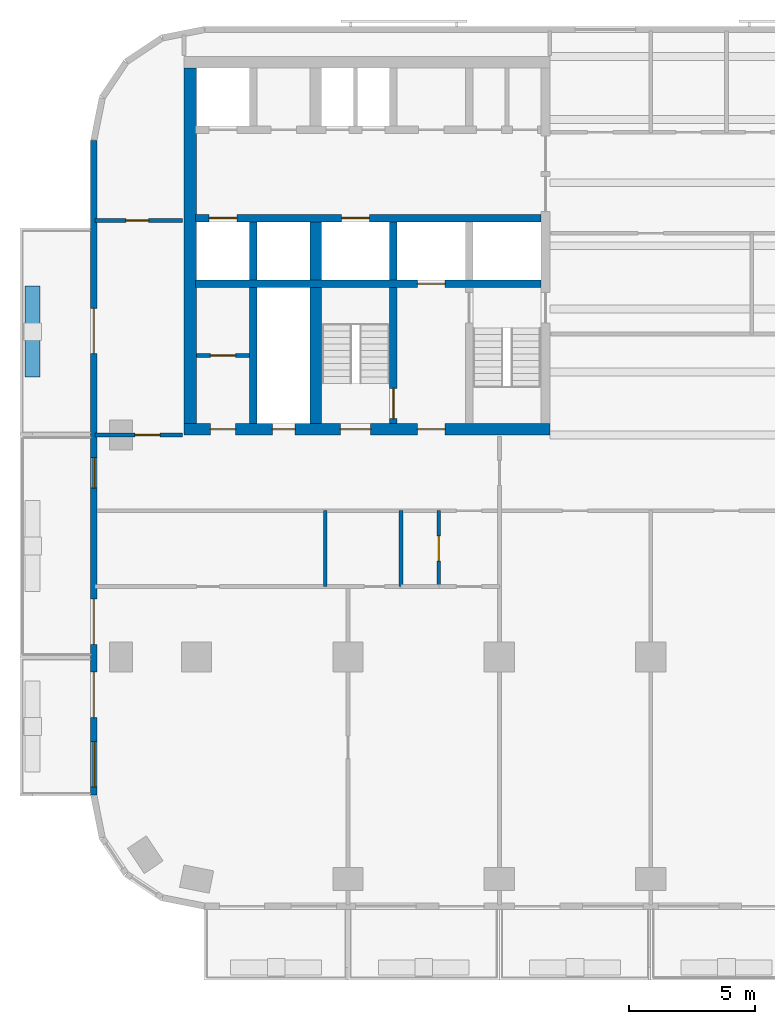
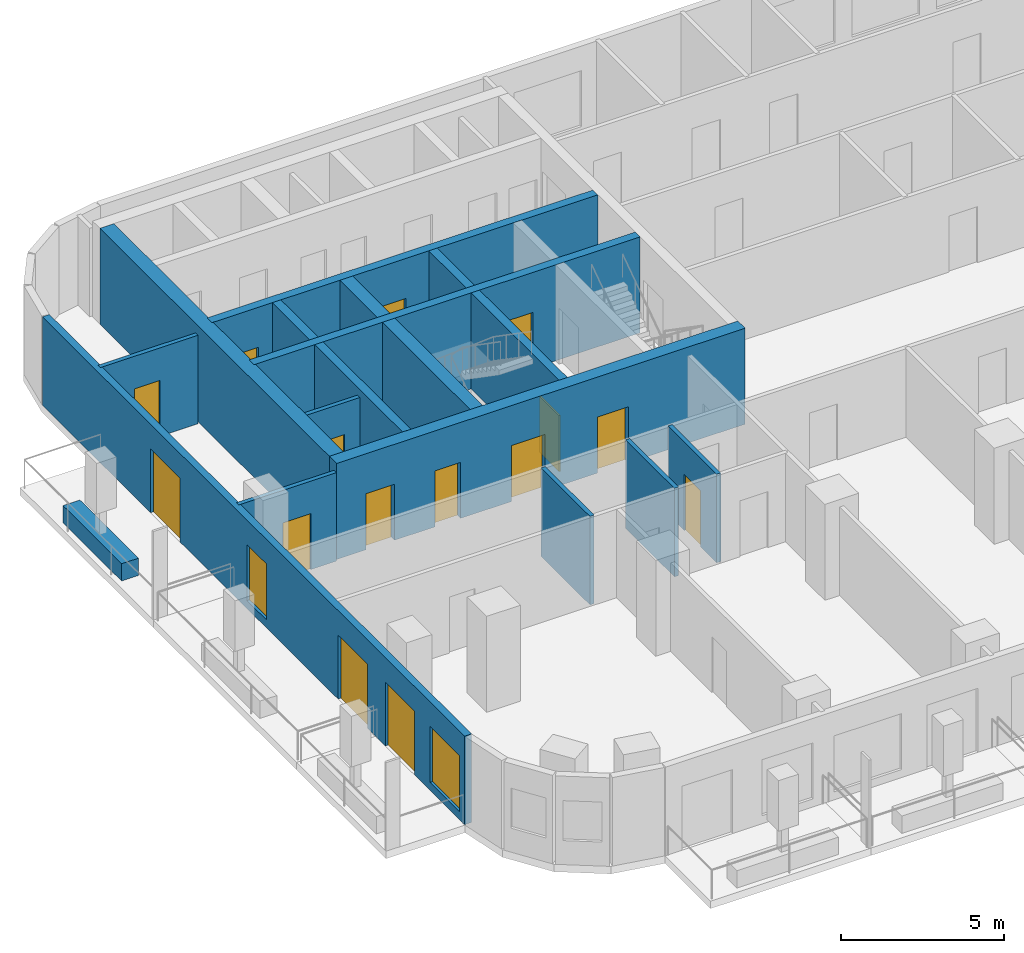
# One storey, part 3 of 12: 18 walls, 15 doors, 2 windows, 17 openings.
"""IFC4 building model written with IfcOpenShell, lengths in metres."""

from ifc_helpers import new_model, si_unit, direction, frame, frame_2d, origin, place, context, subcontext, project, spatial, rectangle, extrude, material, layer, layer_set, type_object, element, fill, save


model = new_model("IFC4")

# Units and contexts
model_context = context("Model", 3, precision=1e-05, world=origin(), true_north=direction((0.0, 1.0)))
body_context = subcontext(model_context, "Body", "Model", "MODEL_VIEW")
ifc_project = project(units=[si_unit("LENGTHUNIT", "METRE"), si_unit("AREAUNIT", "SQUARE_METRE"), si_unit("VOLUMEUNIT", "CUBIC_METRE"), si_unit("PLANEANGLEUNIT", "RADIAN"), si_unit("MASSUNIT", "GRAM", prefix="KILO")], contexts=[model_context])

# Site, building, storey
site_placement = place(None, origin())
site = spatial("IfcSite", under=ifc_project, at=site_placement, CompositionType="ELEMENT")
building_placement = place(site_placement, origin())
building = spatial("IfcBuilding", under=site, at=building_placement, Name="Torana Hotel and Residences", CompositionType="ELEMENT")
storey_placement = place(building_placement, frame((0.0, 0.0, 159.60009765625)))
storey = spatial("IfcBuildingStorey", under=building, at=storey_placement, Name="L41", CompositionType="ELEMENT", Elevation=159.60009765625)

# Wall, openings, doors
ifc_material_1 = material(Name="Concrete C70/85", Category="concrete")
ifc_layer_1 = layer(ifc_material_1, 0.300048828125)
ifc_layer_set_1 = layer_set([ifc_layer_1], Name="CORE WALL 300 C70/85")
wall_type_1 = type_object("IfcWallType", Name="CORE WALL 300 C70/85", PredefinedType="SHEAR", material=ifc_layer_set_1)
wall_1_placement = place(storey_placement, frame((-24.050048828125, -6.39990234375, 0.0), z_axis=(0.0, 0.0, 1.0), x_axis=(1.0, 0.0, 0.0)))
wall_1 = element("IfcWall", 1, at=wall_1_placement, inside=storey, type_object=wall_type_1, Name="Core wall W row-S", PredefinedType="SHEAR", context=body_context, shape_type="SweptSolid", body=[
    extrude(rectangle(XDim=13.699951171875, YDim=0.300048828125, at=frame_2d((6.85009765625, 0.0))), origin(), (0.0, 0.0, 1.0), 3.599853515625),
])
opening_1_placement = place(wall_1_placement, frame((0.550048828125, 0.0, 0.0)))
opening_1 = element("IfcOpeningElement", 2, at=opening_1_placement, cuts=wall_1, Name="Opening LD", PredefinedType="OPENING", context=body_context, shape_type="SweptSolid", body=[
    extrude(rectangle(XDim=1.10009765625, YDim=2.10009765625, at=frame_2d((0.550048828125, 1.050048828125))), frame((0.0, 0.159912109375, 0.0), z_axis=(0.0, -1.0, 0.0), x_axis=(1.0, 0.0, 0.0)), (0.0, 0.0, 1.0), 0.320068359375),
])
opening_2_placement = place(wall_1_placement, frame((5.800048828125, 0.0, 0.0)))
opening_2 = element("IfcOpeningElement", 3, at=opening_2_placement, cuts=wall_1, Name="Opening LD", PredefinedType="OPENING", context=body_context, shape_type="SweptSolid", body=[
    extrude(rectangle(XDim=1.10009765625, YDim=2.10009765625, at=frame_2d((0.550048828125, 1.050048828125))), frame((0.0, 0.159912109375, 0.0), z_axis=(0.0, -1.0, 0.0), x_axis=(1.0, 0.0, 0.0)), (0.0, 0.0, 1.0), 0.320068359375),
])
ifc_material_2 = material(Name="Stainless steel 316", Category="steel")
door_type_1 = type_object("IfcDoorType", Name="LIFT LANDING DOOR LD 1100x2100", OperationType="DOUBLE_DOOR_SLIDING", PredefinedType="USERDEFINED", material=ifc_material_2)
door_1_placement = place(opening_1_placement, origin())
door_1 = element("IfcDoor", 4, at=door_1_placement, inside=storey, type_object=door_type_1, Name="Lift landing door M2 L41", ObjectType="LIFT LANDING DOOR", OperationType="DOUBLE_DOOR_SLIDING", OverallHeight=2.10009765625, OverallWidth=1.10009765625, PredefinedType="USERDEFINED", context=body_context, shape_type="SweptSolid", body=[
    extrude(rectangle(XDim=1.10009765625, YDim=2.10009765625, at=frame_2d((0.550048828125, 1.050048828125))), frame((0.0, 0.02490234375, 0.0), z_axis=(0.0, -1.0, 0.0), x_axis=(1.0, 0.0, 0.0)), (0.0, 0.0, 1.0), 0.050048828125),
])
fill(opening_1, door_1)
door_2_placement = place(opening_2_placement, origin())
door_2 = element("IfcDoor", 5, at=door_2_placement, inside=storey, type_object=door_type_1, Name="Lift landing door SV1 L41", ObjectType="LIFT LANDING DOOR", OperationType="DOUBLE_DOOR_SLIDING", OverallHeight=2.10009765625, OverallWidth=1.10009765625, PredefinedType="USERDEFINED", context=body_context, shape_type="SweptSolid", body=[
    extrude(rectangle(XDim=1.10009765625, YDim=2.10009765625, at=frame_2d((0.550048828125, 1.050048828125))), frame((0.0, 0.02490234375, 0.0), z_axis=(0.0, -1.0, 0.0), x_axis=(1.0, 0.0, 0.0)), (0.0, 0.0, 1.0), 0.050048828125),
])
fill(opening_2, door_2)

# Wall, opening, door
wall_2_placement = place(storey_placement, frame((-24.050048828125, -9.0, 0.0), z_axis=(0.0, 0.0, 1.0), x_axis=(1.0, 0.0, 0.0)))
wall_2 = element("IfcWall", 6, at=wall_2_placement, inside=storey, type_object=wall_type_1, Name="Core wall W band", PredefinedType="SHEAR", context=body_context, shape_type="SweptSolid", body=[
    extrude(rectangle(XDim=13.699951171875, YDim=0.300048828125, at=frame_2d((6.85009765625, 0.0))), origin(), (0.0, 0.0, 1.0), 3.599853515625),
])
opening_3_placement = place(wall_2_placement, frame((8.800048828125, 0.0, 0.0)))
opening_3 = element("IfcOpeningElement", 7, at=opening_3_placement, cuts=wall_2, Name="Opening LD", PredefinedType="OPENING", context=body_context, shape_type="SweptSolid", body=[
    extrude(rectangle(XDim=1.10009765625, YDim=2.10009765625, at=frame_2d((0.550048828125, 1.050048828125))), frame((0.0, 0.159912109375, 0.0), z_axis=(0.0, -1.0, 0.0), x_axis=(1.0, 0.0, 0.0)), (0.0, 0.0, 1.0), 0.320068359375),
])
door_3_placement = place(opening_3_placement, origin())
door_3 = element("IfcDoor", 8, at=door_3_placement, inside=storey, type_object=door_type_1, Name="Lift landing door FF1 L41", ObjectType="LIFT LANDING DOOR", OperationType="DOUBLE_DOOR_SLIDING", OverallHeight=2.10009765625, OverallWidth=1.10009765625, PredefinedType="USERDEFINED", context=body_context, shape_type="SweptSolid", body=[
    extrude(rectangle(XDim=1.10009765625, YDim=2.10009765625, at=frame_2d((0.550048828125, 1.050048828125))), frame((0.0, 0.02490234375, 0.0), z_axis=(0.0, -1.0, 0.0), x_axis=(1.0, 0.0, 0.0)), (0.0, 0.0, 1.0), 0.050048828125),
])
fill(opening_3, door_3)

# Wall
wall_3_placement = place(storey_placement, frame((-16.199951171875, -8.85009765625, 0.0), z_axis=(0.0, 0.0, 1.0), x_axis=(0.0, 1.0, 0.0)))
element("IfcWall", 9, at=wall_3_placement, inside=storey, type_object=wall_type_1, Name="Core wall W x6.05-S", PredefinedType="SHEAR", context=body_context, shape_type="SweptSolid", body=[
    extrude(rectangle(XDim=2.300048828125, YDim=0.300048828125, at=frame_2d((1.14990234375, 0.0))), origin(), (0.0, 0.0, 1.0), 3.599853515625),
])

# Wall, opening, door
wall_4_placement = place(storey_placement, frame((-16.199951171875, -14.550048828125, 0.0), z_axis=(0.0, 0.0, 1.0), x_axis=(0.0, 1.0, 0.0)))
wall_4 = element("IfcWall", 10, at=wall_4_placement, inside=storey, type_object=wall_type_1, Name="Core wall W x6.05-band", PredefinedType="SHEAR", context=body_context, shape_type="SweptSolid", body=[
    extrude(rectangle(XDim=5.400146484375, YDim=0.300048828125, at=frame_2d((2.7001953125, 0.0))), origin(), (0.0, 0.0, 1.0), 3.599853515625),
])
opening_4_placement = place(wall_4_placement, frame((0.199951171875, 0.0, 0.0)))
opening_4 = element("IfcOpeningElement", 11, at=opening_4_placement, cuts=wall_4, Name="Opening L41-15", PredefinedType="OPENING", context=body_context, shape_type="SweptSolid", body=[
    extrude(rectangle(XDim=1.199951171875, YDim=2.10009765625, at=frame_2d((0.60009765625, 1.050048828125))), frame((0.0, 0.159912109375, 0.0), z_axis=(0.0, -1.0, 0.0), x_axis=(1.0, 0.0, 0.0)), (0.0, 0.0, 1.0), 0.320068359375),
])
ifc_material_3 = material(Name="Steel S235", Category="steel")
door_type_2 = type_object("IfcDoorType", Name="STAIR FIRE DOOR D3 1200x2100", OperationType="SINGLE_SWING_LEFT", PredefinedType="DOOR", material=ifc_material_3)
door_4_placement = place(opening_4_placement, origin())
door_4 = element("IfcDoor", 12, at=door_4_placement, inside=storey, type_object=door_type_2, Name="Stair-B-lobby door L41", OperationType="SINGLE_SWING_RIGHT", OverallHeight=2.10009765625, OverallWidth=1.199951171875, PredefinedType="DOOR", context=body_context, shape_type="SweptSolid", body=[
    extrude(rectangle(XDim=1.199951171875, YDim=2.10009765625, at=frame_2d((0.60009765625, 1.050048828125))), frame((0.0, 0.02490234375, 0.0), z_axis=(0.0, -1.0, 0.0), x_axis=(1.0, 0.0, 0.0)), (0.0, 0.0, 1.0), 0.050048828125),
])
fill(opening_4, door_4)

# Walls
wall_5_placement = place(storey_placement, frame((-21.75, -8.85009765625, 0.0), z_axis=(0.0, 0.0, 1.0), x_axis=(0.0, 1.0, 0.0)))
element("IfcWall", 13, at=wall_5_placement, inside=storey, type_object=wall_type_1, Name="Core wall W mm-S", PredefinedType="SHEAR", context=body_context, shape_type="SweptSolid", body=[
    extrude(rectangle(XDim=2.300048828125, YDim=0.300048828125, at=frame_2d((1.14990234375, 0.0))), origin(), (0.0, 0.0, 1.0), 3.599853515625),
])
wall_6_placement = place(storey_placement, frame((-21.75, -14.550048828125, 0.0), z_axis=(0.0, 0.0, 1.0), x_axis=(0.0, 1.0, 0.0)))
element("IfcWall", 14, at=wall_6_placement, inside=storey, type_object=wall_type_1, Name="Core wall W mm-band", PredefinedType="SHEAR", context=body_context, shape_type="SweptSolid", body=[
    extrude(rectangle(XDim=5.400146484375, YDim=0.300048828125, at=frame_2d((2.7001953125, 0.0))), origin(), (0.0, 0.0, 1.0), 3.599853515625),
])

# Wall, openings, doors
ifc_material_4 = material(Name="Concrete C70/85", Category="concrete")
ifc_layer_2 = layer(ifc_material_4, 0.449951171875)
ifc_layer_set_2 = layer_set([ifc_layer_2], Name="CORE WALL 450 C70/85")
wall_type_2 = type_object("IfcWallType", Name="CORE WALL 450 C70/85", PredefinedType="SHEAR", material=ifc_layer_set_2)
wall_7_placement = place(storey_placement, frame((-24.5, -14.77490234375, 0.0), z_axis=(0.0, 0.0, 1.0), x_axis=(1.0, 0.0, 0.0)))
wall_7 = element("IfcWall", 15, at=wall_7_placement, inside=storey, type_object=wall_type_2, Name="Core wall W front", PredefinedType="SHEAR", context=body_context, shape_type="SweptSolid", body=[
    extrude(rectangle(XDim=14.5, YDim=0.449951171875, at=frame_2d((7.25, 0.0))), origin(), (0.0, 0.0, 1.0), 3.599853515625),
])
opening_5_placement = place(wall_7_placement, frame((6.199951171875, 0.0, 0.0)))
opening_5 = element("IfcOpeningElement", 16, at=opening_5_placement, cuts=wall_7, Name="Opening L41-04", PredefinedType="OPENING", context=body_context, shape_type="SweptSolid", body=[
    extrude(rectangle(XDim=1.199951171875, YDim=2.10009765625, at=frame_2d((0.60009765625, 1.050048828125))), frame((0.0, 0.23486328125, 0.0), z_axis=(0.0, -1.0, 0.0), x_axis=(1.0, 0.0, 0.0)), (0.0, 0.0, 1.0), 0.469970703125),
])
opening_6_placement = place(wall_7_placement, frame((9.25, 0.0, 0.0)))
opening_6 = element("IfcOpeningElement", 17, at=opening_6_placement, cuts=wall_7, Name="Opening L41-05", PredefinedType="OPENING", context=body_context, shape_type="SweptSolid", body=[
    extrude(rectangle(XDim=1.10009765625, YDim=2.10009765625, at=frame_2d((0.550048828125, 1.050048828125))), frame((0.0, 0.23486328125, 0.0), z_axis=(0.0, -1.0, 0.0), x_axis=(1.0, 0.0, 0.0)), (0.0, 0.0, 1.0), 0.469970703125),
])
opening_7_placement = place(wall_7_placement, frame((3.5, 0.0, 0.0)))
opening_7 = element("IfcOpeningElement", 18, at=opening_7_placement, cuts=wall_7, Name="Opening L41-06", PredefinedType="OPENING", context=body_context, shape_type="SweptSolid", body=[
    extrude(rectangle(XDim=0.89990234375, YDim=2.10009765625, at=frame_2d((0.449951171875, 1.050048828125))), frame((0.0, 0.23486328125, 0.0), z_axis=(0.0, -1.0, 0.0), x_axis=(1.0, 0.0, 0.0)), (0.0, 0.0, 1.0), 0.469970703125),
])
opening_8_placement = place(wall_7_placement, frame((1.050048828125, 0.0, 0.0)))
opening_8 = element("IfcOpeningElement", 19, at=opening_8_placement, cuts=wall_7, Name="Opening L41-07", PredefinedType="OPENING", context=body_context, shape_type="SweptSolid", body=[
    extrude(rectangle(XDim=1.0, YDim=2.10009765625, at=frame_2d((0.5, 1.050048828125))), frame((0.0, 0.23486328125, 0.0), z_axis=(0.0, -1.0, 0.0), x_axis=(1.0, 0.0, 0.0)), (0.0, 0.0, 1.0), 0.469970703125),
])
ifc_material_5 = material(Name="Steel S235", Category="steel")
door_type_3 = type_object("IfcDoorType", Name="CORE ROOM FIRE DOOR D14 1000x2100", OperationType="SINGLE_SWING_LEFT", PredefinedType="DOOR", material=ifc_material_5)
door_5_placement = place(opening_8_placement, origin())
door_5 = element("IfcDoor", 20, at=door_5_placement, inside=storey, type_object=door_type_3, Name="M-Room-B door L41", OperationType="SINGLE_SWING_RIGHT", OverallHeight=2.10009765625, OverallWidth=1.0, PredefinedType="DOOR", context=body_context, shape_type="SweptSolid", body=[
    extrude(rectangle(XDim=1.0, YDim=2.10009765625, at=frame_2d((0.5, 1.050048828125))), frame((0.0, 0.02490234375, 0.0), z_axis=(0.0, -1.0, 0.0), x_axis=(1.0, 0.0, 0.0)), (0.0, 0.0, 1.0), 0.050048828125),
])
fill(opening_8, door_5)
ifc_material_6 = material(Name="Steel S235", Category="steel")
door_type_4 = type_object("IfcDoorType", Name="FIRE-FIGHTING LOBBY DOOR D8 1100x2100", OperationType="SINGLE_SWING_LEFT", PredefinedType="DOOR", material=ifc_material_6)
door_6_placement = place(opening_6_placement, origin())
door_6 = element("IfcDoor", 21, at=door_6_placement, inside=storey, type_object=door_type_4, Name="FF-lobby door L41", OperationType="SINGLE_SWING_RIGHT", OverallHeight=2.10009765625, OverallWidth=1.10009765625, PredefinedType="DOOR", context=body_context, shape_type="SweptSolid", body=[
    extrude(rectangle(XDim=1.10009765625, YDim=2.10009765625, at=frame_2d((0.550048828125, 1.050048828125))), frame((0.0, 0.02490234375, 0.0), z_axis=(0.0, -1.0, 0.0), x_axis=(1.0, 0.0, 0.0)), (0.0, 0.0, 1.0), 0.050048828125),
])
fill(opening_6, door_6)
ifc_material_7 = material(Name="Steel S235", Category="steel")
door_type_5 = type_object("IfcDoorType", Name="RISER ACCESS DOOR D5 900x2100", OperationType="SINGLE_SWING_LEFT", PredefinedType="DOOR", material=ifc_material_7)
door_7_placement = place(opening_7_placement, origin())
door_7 = element("IfcDoor", 22, at=door_7_placement, inside=storey, type_object=door_type_5, Name="M-Riser door L41", OperationType="SINGLE_SWING_RIGHT", OverallHeight=2.10009765625, OverallWidth=0.89990234375, PredefinedType="DOOR", context=body_context, shape_type="SweptSolid", body=[
    extrude(rectangle(XDim=0.89990234375, YDim=2.10009765625, at=frame_2d((0.449951171875, 1.050048828125))), frame((0.0, 0.02490234375, 0.0), z_axis=(0.0, -1.0, 0.0), x_axis=(1.0, 0.0, 0.0)), (0.0, 0.0, 1.0), 0.050048828125),
])
fill(opening_7, door_7)
door_8_placement = place(opening_5_placement, origin())
door_8 = element("IfcDoor", 23, at=door_8_placement, inside=storey, type_object=door_type_2, Name="Stair-B door L41", OperationType="SINGLE_SWING_RIGHT", OverallHeight=2.10009765625, OverallWidth=1.199951171875, PredefinedType="DOOR", context=body_context, shape_type="SweptSolid", body=[
    extrude(rectangle(XDim=1.199951171875, YDim=2.10009765625, at=frame_2d((0.60009765625, 1.050048828125))), frame((0.0, 0.02490234375, 0.0), z_axis=(0.0, -1.0, 0.0), x_axis=(1.0, 0.0, 0.0)), (0.0, 0.0, 1.0), 0.050048828125),
])
fill(opening_5, door_8)

# Walls
wall_8_placement = place(storey_placement, frame((-19.27490234375, -8.85009765625, 0.0), z_axis=(0.0, 0.0, 1.0), x_axis=(0.0, 1.0, 0.0)))
element("IfcWall", 24, at=wall_8_placement, inside=storey, type_object=wall_type_2, Name="Core wall W hm-S", PredefinedType="SHEAR", context=body_context, shape_type="SweptSolid", body=[
    extrude(rectangle(XDim=2.300048828125, YDim=0.449951171875, at=frame_2d((1.14990234375, 0.0))), origin(), (0.0, 0.0, 1.0), 3.599853515625),
])
wall_9_placement = place(storey_placement, frame((-19.27490234375, -14.550048828125, 0.0), z_axis=(0.0, 0.0, 1.0), x_axis=(0.0, 1.0, 0.0)))
element("IfcWall", 25, at=wall_9_placement, inside=storey, type_object=wall_type_2, Name="Core wall W hm-band", PredefinedType="SHEAR", context=body_context, shape_type="SweptSolid", body=[
    extrude(rectangle(XDim=5.400146484375, YDim=0.449951171875, at=frame_2d((2.7001953125, 0.0))), origin(), (0.0, 0.0, 1.0), 3.599853515625),
])
ifc_material_8 = material(Name="Concrete C70/85", Category="concrete")
ifc_layer_3 = layer(ifc_material_8, 0.5)
ifc_layer_set_3 = layer_set([ifc_layer_3], Name="CORE WALL 500 C70/85")
wall_type_3 = type_object("IfcWallType", Name="CORE WALL 500 C70/85", PredefinedType="SHEAR", material=ifc_layer_set_3)
wall_10_placement = place(storey_placement, frame((-24.25, -14.550048828125, 0.0), z_axis=(0.0, 0.0, 1.0), x_axis=(0.0, 1.0, 0.0)))
element("IfcWall", 26, at=wall_10_placement, inside=storey, type_object=wall_type_3, Name="Core wall W outer", PredefinedType="SHEAR", context=body_context, shape_type="SweptSolid", body=[
    extrude(rectangle(XDim=14.10009765625, YDim=0.5, at=frame_2d((7.050048828125, 0.0))), origin(), (0.0, 0.0, 1.0), 3.599853515625),
])

# Wall, openings, doors, windows
ifc_material_9 = material(Name="Black aluminium composite panel", Category="aluminium")
ifc_layer_4 = layer(ifc_material_9, 0.00390625, Name="Cladding", Category="cladding")
ifc_material_10 = material(Name="Ventilated air cavity")
ifc_layer_5 = layer(ifc_material_10, 0.0400390625, Name="Ventilated cavity", Category="cavity")
ifc_material_11 = material(Name="Mineral wool insulation")
ifc_layer_6 = layer(ifc_material_11, 0.090087890625, Name="Insulation", Category="insulation")
ifc_material_12 = material(Name="Steel S280GD", Category="steel")
ifc_layer_7 = layer(ifc_material_12, 0.092041015625, Name="Steel stud frame", Category="structure")
ifc_material_13 = material(Name="Fire rated plasterboard")
ifc_layer_8 = layer(ifc_material_13, 0.011962890625, Name="Inner board", Category="finish")
ifc_layer_9 = layer(ifc_material_13, 0.011962890625, Name="Second board", Category="finish")
ifc_layer_set_4 = layer_set([ifc_layer_4, ifc_layer_5, ifc_layer_6, ifc_layer_7, ifc_layer_8, ifc_layer_9], Name="EW1 EXTERNAL WALL BLACK METAL CLAD 250")
wall_type_4 = type_object("IfcWallType", Name="EW1 EXTERNAL WALL BLACK METAL CLAD 250", PredefinedType="SOLIDWALL", material=ifc_layer_set_4)
wall_11_placement = place(storey_placement, frame((-28.074951171875, -3.32470703125, 0.0), z_axis=(0.0, 0.0, 1.0), x_axis=(0.0, -1.0, 0.0)))
wall_11 = element("IfcWall", 27, at=wall_11_placement, inside=storey, type_object=wall_type_4, Name="External wall L41 e0.9", PredefinedType="SOLIDWALL", context=body_context, shape_type="SweptSolid", body=[
    extrude(rectangle(XDim=25.95068359375, YDim=0.25, at=frame_2d((12.975341796875, 0.0))), origin(), (0.0, 0.0, 1.0), 3.31982421875),
])
opening_9_placement = place(wall_11_placement, frame((6.650390625, 0.0, 0.0)))
opening_9 = element("IfcOpeningElement", 28, at=opening_9_placement, cuts=wall_11, Name="Opening L41-E12", PredefinedType="OPENING", context=body_context, shape_type="SweptSolid", body=[
    extrude(rectangle(XDim=1.800048828125, YDim=2.39990234375, at=frame_2d((0.89990234375, 1.199951171875))), frame((0.0, 0.135009765625, 0.0), z_axis=(0.0, -1.0, 0.0), x_axis=(1.0, 0.0, 0.0)), (0.0, 0.0, 1.0), 0.27001953125),
])
opening_10_placement = place(wall_11_placement, frame((12.575439453125, 0.0, 0.300048828125)))
opening_10 = element("IfcOpeningElement", 29, at=opening_10_placement, cuts=wall_11, Name="Opening W7", PredefinedType="OPENING", context=body_context, shape_type="SweptSolid", body=[
    extrude(rectangle(XDim=1.199951171875, YDim=2.10009765625, at=frame_2d((0.60009765625, 1.050048828125))), frame((0.0, 0.135009765625, 0.0), z_axis=(0.0, -1.0, 0.0), x_axis=(1.0, 0.0, 0.0)), (0.0, 0.0, 1.0), 0.27001953125),
])
opening_11_placement = place(wall_11_placement, frame((18.17529296875, 0.0, 0.0)))
opening_11 = element("IfcOpeningElement", 30, at=opening_11_placement, cuts=wall_11, Name="Opening L41-E13", PredefinedType="OPENING", context=body_context, shape_type="SweptSolid", body=[
    extrude(rectangle(XDim=1.800048828125, YDim=2.39990234375, at=frame_2d((0.89990234375, 1.199951171875))), frame((0.0, 0.135009765625, 0.0), z_axis=(0.0, -1.0, 0.0), x_axis=(1.0, 0.0, 0.0)), (0.0, 0.0, 1.0), 0.27001953125),
])
opening_12_placement = place(wall_11_placement, frame((21.075439453125, 0.0, 0.0)))
opening_12 = element("IfcOpeningElement", 31, at=opening_12_placement, cuts=wall_11, Name="Opening L41-E14", PredefinedType="OPENING", context=body_context, shape_type="SweptSolid", body=[
    extrude(rectangle(XDim=1.800048828125, YDim=2.39990234375, at=frame_2d((0.89990234375, 1.199951171875))), frame((0.0, 0.135009765625, 0.0), z_axis=(0.0, -1.0, 0.0), x_axis=(1.0, 0.0, 0.0)), (0.0, 0.0, 1.0), 0.27001953125),
])
opening_13_placement = place(wall_11_placement, frame((23.825439453125, 0.0, 0.300048828125)))
opening_13 = element("IfcOpeningElement", 32, at=opening_13_placement, cuts=wall_11, Name="Opening W2", PredefinedType="OPENING", context=body_context, shape_type="SweptSolid", body=[
    extrude(rectangle(XDim=1.800048828125, YDim=2.10009765625, at=frame_2d((0.89990234375, 1.050048828125))), frame((0.0, 0.135009765625, 0.0), z_axis=(0.0, -1.0, 0.0), x_axis=(1.0, 0.0, 0.0)), (0.0, 0.0, 1.0), 0.27001953125),
])
ifc_material_14 = material(Name="Dark glass in black aluminium frame", Category="aluminium")
door_type_6 = type_object("IfcDoorType", Name="DB1 BALCONY DOOR 1800x2400", OperationType="DOUBLE_DOOR_SINGLE_SWING", PredefinedType="DOOR", material=ifc_material_14)
door_9_placement = place(opening_9_placement, origin())
door_9 = element("IfcDoor", 33, at=door_9_placement, inside=storey, type_object=door_type_6, Name="Balcony door L41", OperationType="DOUBLE_DOOR_SINGLE_SWING", OverallHeight=2.39990234375, OverallWidth=1.800048828125, PredefinedType="DOOR", context=body_context, shape_type="SweptSolid", body=[
    extrude(rectangle(XDim=1.800048828125, YDim=2.39990234375, at=frame_2d((0.89990234375, 1.199951171875))), frame((0.0, 0.02490234375, 0.0), z_axis=(0.0, -1.0, 0.0), x_axis=(1.0, 0.0, 0.0)), (0.0, 0.0, 1.0), 0.050048828125),
])
fill(opening_9, door_9)
door_10_placement = place(opening_11_placement, frame((0.89990234375, 0.0, 0.0), z_axis=(0.0, 0.0, 1.0), x_axis=(-1.0, 0.0, 0.0)))
door_10 = element("IfcDoor", 34, at=door_10_placement, inside=storey, type_object=door_type_6, Name="Balcony door L41", OperationType="DOUBLE_DOOR_SINGLE_SWING", OverallHeight=2.39990234375, OverallWidth=1.800048828125, PredefinedType="DOOR", context=body_context, shape_type="SweptSolid", body=[
    extrude(rectangle(XDim=1.800048828125, YDim=2.39990234375, at=frame_2d((0.0, 1.199951171875))), frame((0.0, -0.02490234375, 0.0), z_axis=(0.0, 1.0, 0.0), x_axis=(-1.0, 0.0, 0.0)), (0.0, 0.0, 1.0), 0.050048828125),
])
fill(opening_11, door_10)
door_11_placement = place(opening_12_placement, origin())
door_11 = element("IfcDoor", 35, at=door_11_placement, inside=storey, type_object=door_type_6, Name="Balcony door L41", OperationType="DOUBLE_DOOR_SINGLE_SWING", OverallHeight=2.39990234375, OverallWidth=1.800048828125, PredefinedType="DOOR", context=body_context, shape_type="SweptSolid", body=[
    extrude(rectangle(XDim=1.800048828125, YDim=2.39990234375, at=frame_2d((0.89990234375, 1.199951171875))), frame((0.0, 0.02490234375, 0.0), z_axis=(0.0, -1.0, 0.0), x_axis=(1.0, 0.0, 0.0)), (0.0, 0.0, 1.0), 0.050048828125),
])
fill(opening_12, door_11)
ifc_material_15 = material(Name="Dark glass in black aluminium frame", Category="aluminium")
window_type_1 = type_object("IfcWindowType", Name="W2 HOTEL ROOM WINDOW NARROW 1800x2100", PartitioningType="SINGLE_PANEL", PredefinedType="WINDOW", material=ifc_material_15)
window_1_placement = place(opening_13_placement, origin())
window_1 = element("IfcWindow", 36, at=window_1_placement, inside=storey, type_object=window_type_1, Name="Window L41", OverallHeight=2.10009765625, OverallWidth=1.800048828125, PartitioningType="SINGLE_PANEL", PredefinedType="WINDOW", context=body_context, shape_type="SweptSolid", body=[
    extrude(rectangle(XDim=1.800048828125, YDim=2.10009765625, at=frame_2d((0.89990234375, 1.050048828125))), frame((0.0, 0.030029296875, 0.0), z_axis=(0.0, -1.0, 0.0), x_axis=(1.0, 0.0, 0.0)), (0.0, 0.0, 1.0), 0.06005859375),
])
fill(opening_13, window_1)
ifc_material_16 = material(Name="Dark glass in black aluminium frame", Category="aluminium")
window_type_2 = type_object("IfcWindowType", Name="W7 HOTEL CORRIDOR WINDOW 1200x2100", PartitioningType="SINGLE_PANEL", PredefinedType="WINDOW", material=ifc_material_16)
window_2_placement = place(opening_10_placement, origin())
window_2 = element("IfcWindow", 37, at=window_2_placement, inside=storey, type_object=window_type_2, Name="Window L41", OverallHeight=2.10009765625, OverallWidth=1.199951171875, PartitioningType="SINGLE_PANEL", PredefinedType="WINDOW", context=body_context, shape_type="SweptSolid", body=[
    extrude(rectangle(XDim=1.199951171875, YDim=2.10009765625, at=frame_2d((0.60009765625, 1.050048828125))), frame((0.0, 0.030029296875, 0.0), z_axis=(0.0, -1.0, 0.0), x_axis=(1.0, 0.0, 0.0)), (0.0, 0.0, 1.0), 0.06005859375),
])
fill(opening_10, window_2)

# Wall, opening, door
ifc_material_17 = material(Name="Gypsum plaster")
ifc_layer_10 = layer(ifc_material_17, 0.014892578125, Name="Plaster", Category="finish")
ifc_material_18 = material(Name="Concrete blockwork", Category="masonry")
ifc_layer_11 = layer(ifc_material_18, 0.1201171875, Name="Blockwork", Category="structure")
ifc_layer_12 = layer(ifc_material_17, 0.014892578125, Name="Plaster", Category="finish")
ifc_layer_set_5 = layer_set([ifc_layer_10, ifc_layer_11, ifc_layer_12], Name="FIRE PARTITION 150 BLOCKWORK")
wall_type_5 = type_object("IfcWallType", Name="FIRE PARTITION 150 BLOCKWORK", PredefinedType="PARTITIONING", material=ifc_layer_set_5)
wall_12_placement = place(storey_placement, frame((-24.0, -11.85009765625, 0.0), z_axis=(0.0, 0.0, 1.0), x_axis=(1.0, 0.0, 0.0)))
wall_12 = element("IfcWall", 38, at=wall_12_placement, inside=storey, type_object=wall_type_5, Name="Core partition L41", PredefinedType="PARTITIONING", context=body_context, shape_type="SweptSolid", body=[
    extrude(rectangle(XDim=2.10009765625, YDim=0.14990234375, at=frame_2d((1.050048828125, 0.0))), origin(), (0.0, 0.0, 1.0), 3.2998046875),
])
opening_14_placement = place(wall_12_placement, frame((0.550048828125, 0.0, 0.0)))
opening_14 = element("IfcOpeningElement", 39, at=opening_14_placement, cuts=wall_12, Name="Opening L41-31", PredefinedType="OPENING", context=body_context, shape_type="SweptSolid", body=[
    extrude(rectangle(XDim=1.0, YDim=2.10009765625, at=frame_2d((0.5, 1.050048828125))), frame((0.0, 0.0849609375, 0.0), z_axis=(0.0, -1.0, 0.0), x_axis=(1.0, 0.0, 0.0)), (0.0, 0.0, 1.0), 0.169921875),
])
door_12_placement = place(opening_14_placement, origin())
door_12 = element("IfcDoor", 40, at=door_12_placement, inside=storey, type_object=door_type_3, Name="Plant room door L41", OperationType="SINGLE_SWING_RIGHT", OverallHeight=2.10009765625, OverallWidth=1.0, PredefinedType="DOOR", context=body_context, shape_type="SweptSolid", body=[
    extrude(rectangle(XDim=1.0, YDim=2.10009765625, at=frame_2d((0.5, 1.050048828125))), frame((0.0, 0.02490234375, 0.0), z_axis=(0.0, -1.0, 0.0), x_axis=(1.0, 0.0, 0.0)), (0.0, 0.0, 1.0), 0.050048828125),
])
fill(opening_14, door_12)

wall_13_placement = place(storey_placement, frame((-14.39990234375, -21.0, 0.0), z_axis=(0.0, 0.0, 1.0), x_axis=(0.0, 1.0, 0.0)))
wall_13 = element("IfcWall", 41, at=wall_13_placement, inside=storey, type_object=wall_type_5, Name="Partition L41", PredefinedType="PARTITIONING", context=body_context, shape_type="SweptSolid", body=[
    extrude(rectangle(XDim=3.0, YDim=0.14990234375, at=frame_2d((1.5, 0.0))), origin(), (0.0, 0.0, 1.0), 3.31982421875),
])
opening_15_placement = place(wall_13_placement, frame((1.0, 0.0, 0.0)))
opening_15 = element("IfcOpeningElement", 42, at=opening_15_placement, cuts=wall_13, Name="Opening L41-55", PredefinedType="OPENING", context=body_context, shape_type="SweptSolid", body=[
    extrude(rectangle(XDim=1.0, YDim=2.10009765625, at=frame_2d((0.5, 1.050048828125))), frame((0.0, 0.0849609375, 0.0), z_axis=(0.0, -1.0, 0.0), x_axis=(1.0, 0.0, 0.0)), (0.0, 0.0, 1.0), 0.169921875),
])
ifc_material_19 = material(Name="Steel S235", Category="steel")
door_type_7 = type_object("IfcDoorType", Name="ENTRY FIRE DOOR D6 1000x2100", OperationType="SINGLE_SWING_LEFT", PredefinedType="DOOR", material=ifc_material_19)
door_13_placement = place(opening_15_placement, origin())
door_13 = element("IfcDoor", 43, at=door_13_placement, inside=storey, type_object=door_type_7, Name="Door L41", OperationType="SINGLE_SWING_RIGHT", OverallHeight=2.10009765625, OverallWidth=1.0, PredefinedType="DOOR", context=body_context, shape_type="SweptSolid", body=[
    extrude(rectangle(XDim=1.0, YDim=2.10009765625, at=frame_2d((0.5, 1.050048828125))), frame((0.0, 0.02490234375, 0.0), z_axis=(0.0, -1.0, 0.0), x_axis=(1.0, 0.0, 0.0)), (0.0, 0.0, 1.0), 0.050048828125),
])
fill(opening_15, door_13)

wall_14_placement = place(storey_placement, frame((-28.02001953125, -15.0, 0.0), z_axis=(0.0, 0.0, 1.0), x_axis=(1.0, 0.0, 0.0)))
wall_14 = element("IfcWall", 44, at=wall_14_placement, inside=storey, type_object=wall_type_5, Name="Partition L41", PredefinedType="PARTITIONING", context=body_context, shape_type="SweptSolid", body=[
    extrude(rectangle(XDim=3.469970703125, YDim=0.14990234375, at=frame_2d((1.73486328125, 0.0))), origin(), (0.0, 0.0, 1.0), 3.31982421875),
])
opening_16_placement = place(wall_14_placement, frame((1.570068359375, 0.0, 0.0)))
opening_16 = element("IfcOpeningElement", 45, at=opening_16_placement, cuts=wall_14, Name="Opening L41-35", PredefinedType="OPENING", context=body_context, shape_type="SweptSolid", body=[
    extrude(rectangle(XDim=1.0, YDim=2.10009765625, at=frame_2d((0.5, 1.050048828125))), frame((0.0, 0.0849609375, 0.0), z_axis=(0.0, -1.0, 0.0), x_axis=(1.0, 0.0, 0.0)), (0.0, 0.0, 1.0), 0.169921875),
])
door_14_placement = place(opening_16_placement, origin())
door_14 = element("IfcDoor", 46, at=door_14_placement, inside=storey, type_object=door_type_3, Name="Door L41", OperationType="SINGLE_SWING_RIGHT", OverallHeight=2.10009765625, OverallWidth=1.0, PredefinedType="DOOR", context=body_context, shape_type="SweptSolid", body=[
    extrude(rectangle(XDim=1.0, YDim=2.10009765625, at=frame_2d((0.5, 1.050048828125))), frame((0.0, 0.02490234375, 0.0), z_axis=(0.0, -1.0, 0.0), x_axis=(1.0, 0.0, 0.0)), (0.0, 0.0, 1.0), 0.050048828125),
])
fill(opening_16, door_14)

# Wall
ifc_material_20 = material(Name="Gypsum plasterboard")
ifc_layer_13 = layer(ifc_material_20, 0.012451171875, Name="Plasterboard", Category="finish")
ifc_layer_14 = layer(ifc_material_20, 0.012451171875, Name="Plasterboard", Category="finish")
ifc_layer_15 = layer(ifc_material_12, 0.10009765625, Name="Steel studs with mineral wool", Category="insulation")
ifc_layer_16 = layer(ifc_material_20, 0.012451171875, Name="Plasterboard", Category="finish")
ifc_layer_17 = layer(ifc_material_20, 0.012451171875, Name="Plasterboard", Category="finish")
ifc_layer_set_6 = layer_set([ifc_layer_13, ifc_layer_14, ifc_layer_15, ifc_layer_16, ifc_layer_17], Name="PARTITION 150 PLASTERBOARD")
wall_type_6 = type_object("IfcWallType", Name="PARTITION 150 PLASTERBOARD", PredefinedType="PARTITIONING", material=ifc_layer_set_6)
wall_15_placement = place(storey_placement, frame((-18.89990234375, -21.0, 0.0), z_axis=(0.0, 0.0, 1.0), x_axis=(0.0, 1.0, 0.0)))
element("IfcWall", 47, at=wall_15_placement, inside=storey, type_object=wall_type_6, Name="Partition L41", PredefinedType="PARTITIONING", context=body_context, shape_type="SweptSolid", body=[
    extrude(rectangle(XDim=3.0, YDim=0.14990234375, at=frame_2d((1.5, 0.0))), origin(), (0.0, 0.0, 1.0), 3.31982421875),
])

# Wall, opening, door
wall_16_placement = place(storey_placement, frame((-28.02001953125, -6.5, 0.0), z_axis=(0.0, 0.0, 1.0), x_axis=(1.0, 0.0, 0.0)))
wall_16 = element("IfcWall", 48, at=wall_16_placement, inside=storey, type_object=wall_type_6, Name="Partition L41", PredefinedType="PARTITIONING", context=body_context, shape_type="SweptSolid", body=[
    extrude(rectangle(XDim=3.469970703125, YDim=0.14990234375, at=frame_2d((1.73486328125, 0.0))), origin(), (0.0, 0.0, 1.0), 3.31982421875),
])
opening_17_placement = place(wall_16_placement, frame((1.219970703125, 0.0, 0.0)))
opening_17 = element("IfcOpeningElement", 49, at=opening_17_placement, cuts=wall_16, Name="Opening L41-65", PredefinedType="OPENING", context=body_context, shape_type="SweptSolid", body=[
    extrude(rectangle(XDim=0.89990234375, YDim=2.10009765625, at=frame_2d((0.449951171875, 1.050048828125))), frame((0.0, 0.0849609375, 0.0), z_axis=(0.0, -1.0, 0.0), x_axis=(1.0, 0.0, 0.0)), (0.0, 0.0, 1.0), 0.169921875),
])
ifc_material_21 = material(Name="Timber door, oiled ash", Category="wood")
door_type_8 = type_object("IfcDoorType", Name="ROOM DOOR D7 900x2100", OperationType="SINGLE_SWING_LEFT", PredefinedType="DOOR", material=ifc_material_21)
door_15_placement = place(opening_17_placement, origin())
door_15 = element("IfcDoor", 50, at=door_15_placement, inside=storey, type_object=door_type_8, Name="Door L41", OperationType="SINGLE_SWING_RIGHT", OverallHeight=2.10009765625, OverallWidth=0.89990234375, PredefinedType="DOOR", context=body_context, shape_type="SweptSolid", body=[
    extrude(rectangle(XDim=0.89990234375, YDim=2.10009765625, at=frame_2d((0.449951171875, 1.050048828125))), frame((0.0, 0.02490234375, 0.0), z_axis=(0.0, -1.0, 0.0), x_axis=(1.0, 0.0, 0.0)), (0.0, 0.0, 1.0), 0.050048828125),
])
fill(opening_17, door_15)

# Walls
ifc_material_22 = material(Name="Concrete C40/50 precast", Category="concrete")
ifc_layer_18 = layer(ifc_material_22, 0.10009765625, Name="Planter shell", Category="structure")
ifc_material_23 = material(Name="Root resistant membrane")
ifc_layer_19 = layer(ifc_material_23, 0.00390625, Name="Waterproofing membrane", Category="membrane")
ifc_material_24 = material(Name="Drainage board with filter fleece")
ifc_layer_20 = layer(ifc_material_24, 0.02001953125, Name="Drainage board", Category="drainage")
ifc_material_25 = material(Name="Growing medium")
ifc_layer_21 = layer(ifc_material_25, 0.47607421875, Name="Planting substrate", Category="soil")
ifc_layer_set_7 = layer_set([ifc_layer_18, ifc_layer_19, ifc_layer_20, ifc_layer_21], Name="PL1 BALCONY PLANTER 600")
wall_type_7 = type_object("IfcWallType", Name="PL1 BALCONY PLANTER 600", PredefinedType="USERDEFINED", material=ifc_layer_set_7)
wall_17_placement = place(storey_placement, frame((-30.5, -12.699951171875, 0.0), z_axis=(0.0, 0.0, 1.0), x_axis=(0.0, 1.0, 0.0)))
element("IfcWall", 51, at=wall_17_placement, inside=storey, type_object=wall_type_7, Name="Planter 11", ObjectType="PLANTER", PredefinedType="USERDEFINED", context=body_context, shape_type="SweptSolid", body=[
    extrude(rectangle(XDim=3.599853515625, YDim=0.60009765625, at=frame_2d((1.7998046875, 0.0))), origin(), (0.0, 0.0, 1.0), 0.64990234375),
])
ifc_material_26 = material(Name="Ceramic tile on adhesive")
ifc_layer_22 = layer(ifc_material_26, 0.010009765625, Name="Wall tile", Category="finish")
ifc_material_27 = material(Name="Cement render")
ifc_layer_23 = layer(ifc_material_27, 0.010009765625, Name="Render", Category="finish")
ifc_layer_24 = layer(ifc_material_18, 0.110107421875, Name="Blockwork", Category="structure")
ifc_layer_25 = layer(ifc_material_27, 0.010009765625, Name="Render", Category="finish")
ifc_layer_26 = layer(ifc_material_26, 0.010009765625, Name="Wall tile", Category="finish")
ifc_layer_set_8 = layer_set([ifc_layer_22, ifc_layer_23, ifc_layer_24, ifc_layer_25, ifc_layer_26], Name="WC PARTITION 150")
wall_type_8 = type_object("IfcWallType", Name="WC PARTITION 150", PredefinedType="PLUMBINGWALL", material=ifc_layer_set_8)
wall_18_placement = place(storey_placement, frame((-15.89990234375, -21.0, 0.0), z_axis=(0.0, 0.0, 1.0), x_axis=(0.0, 1.0, 0.0)))
element("IfcWall", 52, at=wall_18_placement, inside=storey, type_object=wall_type_8, Name="Partition L41", PredefinedType="PLUMBINGWALL", context=body_context, shape_type="SweptSolid", body=[
    extrude(rectangle(XDim=3.0, YDim=0.14990234375, at=frame_2d((1.5, 0.0))), origin(), (0.0, 0.0, 1.0), 3.31982421875),
])

save(model, "model.ifc")
